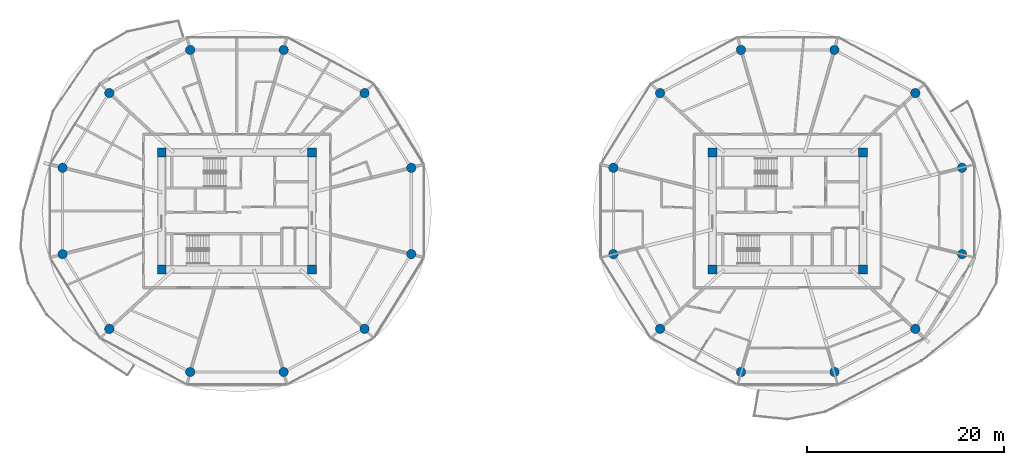
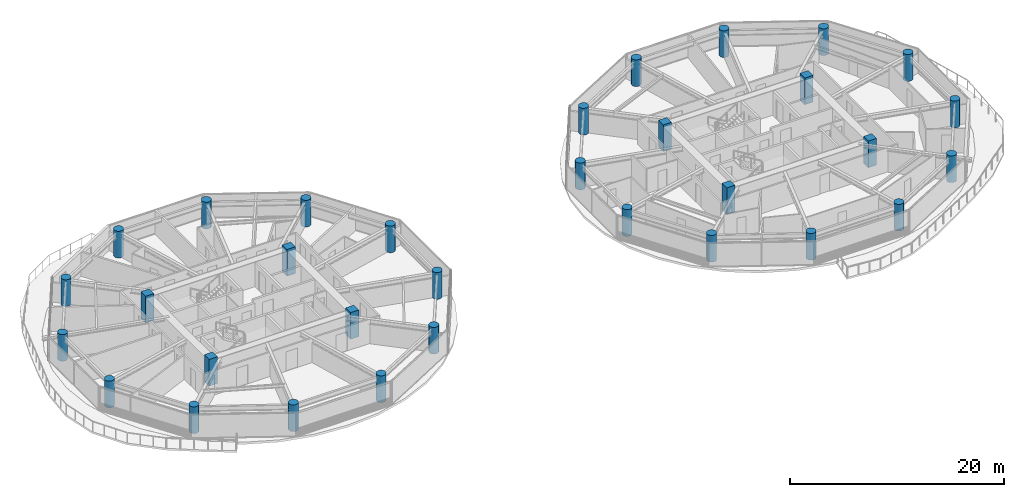
# One storey, part 1 of 27: 32 columns.
"""IFC4 building model written with IfcOpenShell, lengths in metres."""

from ifc_helpers import new_model, si_unit, direction, frame, origin, origin_2d, place, context, subcontext, project, spatial, rectangle, circle, extrude, source, transform, mapped, material, material_profile, profile_set, type_object, type_shapes, element, save


model = new_model("IFC4")

# Units and contexts
model_context = context("Model", 3, precision=1e-05, world=origin(), true_north=direction((0.0, 1.0)))
body_context = subcontext(model_context, "Body", "Model", "MODEL_VIEW")
ifc_project = project(units=[si_unit("LENGTHUNIT", "METRE"), si_unit("AREAUNIT", "SQUARE_METRE"), si_unit("VOLUMEUNIT", "CUBIC_METRE"), si_unit("PLANEANGLEUNIT", "RADIAN"), si_unit("MASSUNIT", "GRAM", prefix="KILO")], contexts=[model_context])

# Site, building, storey
site_placement = place(None, origin())
site = spatial("IfcSite", under=ifc_project, at=site_placement, CompositionType="ELEMENT")
building_placement = place(site_placement, origin())
building = spatial("IfcBuilding", under=site, at=building_placement, Name="Norrkilde Senior Care Towers", CompositionType="ELEMENT")
storey_placement = place(building_placement, frame((0.0, 0.0, 30.75)))
storey = spatial("IfcBuildingStorey", under=building, at=storey_placement, Name="L08", CompositionType="ELEMENT", Elevation=30.75)

# Columns
ifc_material = material(Name="Concrete C60/75", Category="concrete")
ifc_material_profile_1 = material_profile(ifc_material, rectangle(XDim=0.89990234375, YDim=0.89990234375, at=origin_2d()), Name="RC COL 900x900")
ifc_profile_set_1 = profile_set([ifc_material_profile_1], Name="Concrete C60/75")
column_type_1 = type_object("IfcColumnType", Name="Column Core Corner Z1-Z2 900", PredefinedType="COLUMN", material=ifc_profile_set_1)
shared_shape_1 = source(origin(), body_context, "Body", "SweptSolid", [
    extrude(rectangle(XDim=0.89990234375, YDim=0.89990234375, at=origin_2d()), origin(), (0.0, 0.0, 1.0), 3.050048828125),
])
type_shapes(column_type_1, [shared_shape_1])
for number, where, z_axis, x_axis, name in (
    (1, (-35.64990234375, -5.949951171875, 0.0), (0.0, 0.0, 1.0), (1.0, 0.0, 0.0), "L08 Core W Corner Column 1"),
    (2, (-20.35009765625, -5.949951171875, 0.0), (0.0, 0.0, 1.0), (1.0, 0.0, 0.0), "L08 Core W Corner Column 2"),
    (3, (-20.35009765625, 5.949951171875, 0.0), (0.0, 0.0, 1.0), (1.0, 0.0, 0.0), "L08 Core W Corner Column 3"),
    (4, (-35.64990234375, 5.949951171875, 0.0), (0.0, 0.0, 1.0), (1.0, 0.0, 0.0), "L08 Core W Corner Column 4"),
    (5, (20.35009765625, -5.949951171875, 0.0), (0.0, 0.0, 1.0), (1.0, 0.0, 0.0), "L08 Core E Corner Column 1"),
    (6, (35.64990234375, -5.949951171875, 0.0), (0.0, 0.0, 1.0), (1.0, 0.0, 0.0), "L08 Core E Corner Column 2"),
    (7, (35.64990234375, 5.949951171875, 0.0), (0.0, 0.0, 1.0), (1.0, 0.0, 0.0), "L08 Core E Corner Column 3"),
    (8, (20.35009765625, 5.949951171875, 0.0), (0.0, 0.0, 1.0), (1.0, 0.0, 0.0), "L08 Core E Corner Column 4"),
):
    element("IfcColumn", number, at=place(storey_placement, frame(where, z_axis=z_axis, x_axis=x_axis)), inside=storey, type_object=column_type_1, Name=name, PredefinedType="COLUMN", context=body_context, shape_type="MappedRepresentation", body=[
        mapped(shared_shape_1, transform((0.0, 0.0, 0.0), x_axis=(1.0, 0.0, 0.0), y_axis=(0.0, 1.0, 0.0), z_axis=(0.0, 0.0, 1.0), scale=1.0)),
    ])
ifc_material_profile_2 = material_profile(ifc_material, circle(Radius=0.47509765625, at=origin_2d()), Name="RC CIR 950")
ifc_profile_set_2 = profile_set([ifc_material_profile_2], Name="Concrete C60/75")
column_type_2 = type_object("IfcColumnType", Name="Column Perimeter Z1 950", PredefinedType="COLUMN", material=ifc_profile_set_2)
shared_shape_2 = source(origin(), body_context, "Body", "SweptSolid", [
    extrude(circle(Radius=0.47509765625, at=origin_2d()), origin(), (0.0, 0.0, 1.0), 3.050048828125),
])
type_shapes(column_type_2, [shared_shape_2])
for number, where, z_axis, x_axis, name in (
    (9, (-10.275146484375, 4.386962890625, 0.0), (0.0, 0.0, 1.0), (1.0, 0.0, 0.0), "L08 Drum W Perimeter Column 01"),
    (10, (-15.024658203125, 11.9853515625, 0.0), (0.0, 0.0, 1.0), (1.0, 0.0, 0.0), "L08 Drum W Perimeter Column 02"),
    (11, (-23.250732421875, 16.37255859375, 0.0), (0.0, 0.0, 1.0), (1.0, 0.0, 0.0), "L08 Drum W Perimeter Column 03"),
    (12, (-32.749267578125, 16.37255859375, 0.0), (0.0, 0.0, 1.0), (1.0, 0.0, 0.0), "L08 Drum W Perimeter Column 04"),
    (13, (-40.975341796875, 11.9853515625, 0.0), (0.0, 0.0, 1.0), (1.0, 0.0, 0.0), "L08 Drum W Perimeter Column 05"),
    (14, (-45.724853515625, 4.386962890625, 0.0), (0.0, 0.0, 1.0), (1.0, 0.0, 0.0), "L08 Drum W Perimeter Column 06"),
    (15, (-45.724853515625, -4.386962890625, 0.0), (0.0, 0.0, 1.0), (1.0, 0.0, 0.0), "L08 Drum W Perimeter Column 07"),
    (16, (-40.975341796875, -11.9853515625, 0.0), (0.0, 0.0, 1.0), (1.0, 0.0, 0.0), "L08 Drum W Perimeter Column 08"),
    (17, (-32.749267578125, -16.37255859375, 0.0), (0.0, 0.0, 1.0), (1.0, 0.0, 0.0), "L08 Drum W Perimeter Column 09"),
    (18, (-23.250732421875, -16.37255859375, 0.0), (0.0, 0.0, 1.0), (1.0, 0.0, 0.0), "L08 Drum W Perimeter Column 10"),
    (19, (-15.024658203125, -11.9853515625, 0.0), (0.0, 0.0, 1.0), (1.0, 0.0, 0.0), "L08 Drum W Perimeter Column 11"),
    (20, (-10.275146484375, -4.386962890625, 0.0), (0.0, 0.0, 1.0), (1.0, 0.0, 0.0), "L08 Drum W Perimeter Column 12"),
    (21, (45.724853515625, 4.386962890625, 0.0), (0.0, 0.0, 1.0), (1.0, 0.0, 0.0), "L08 Drum E Perimeter Column 01"),
    (22, (40.975341796875, 11.9853515625, 0.0), (0.0, 0.0, 1.0), (1.0, 0.0, 0.0), "L08 Drum E Perimeter Column 02"),
    (23, (32.749267578125, 16.37255859375, 0.0), (0.0, 0.0, 1.0), (1.0, 0.0, 0.0), "L08 Drum E Perimeter Column 03"),
    (24, (23.250732421875, 16.37255859375, 0.0), (0.0, 0.0, 1.0), (1.0, 0.0, 0.0), "L08 Drum E Perimeter Column 04"),
    (25, (15.024658203125, 11.9853515625, 0.0), (0.0, 0.0, 1.0), (1.0, 0.0, 0.0), "L08 Drum E Perimeter Column 05"),
    (26, (10.275146484375, 4.386962890625, 0.0), (0.0, 0.0, 1.0), (1.0, 0.0, 0.0), "L08 Drum E Perimeter Column 06"),
    (27, (10.275146484375, -4.386962890625, 0.0), (0.0, 0.0, 1.0), (1.0, 0.0, 0.0), "L08 Drum E Perimeter Column 07"),
    (28, (15.024658203125, -11.9853515625, 0.0), (0.0, 0.0, 1.0), (1.0, 0.0, 0.0), "L08 Drum E Perimeter Column 08"),
    (29, (23.250732421875, -16.37255859375, 0.0), (0.0, 0.0, 1.0), (1.0, 0.0, 0.0), "L08 Drum E Perimeter Column 09"),
    (30, (32.749267578125, -16.37255859375, 0.0), (0.0, 0.0, 1.0), (1.0, 0.0, 0.0), "L08 Drum E Perimeter Column 10"),
    (31, (40.975341796875, -11.9853515625, 0.0), (0.0, 0.0, 1.0), (1.0, 0.0, 0.0), "L08 Drum E Perimeter Column 11"),
    (32, (45.724853515625, -4.386962890625, 0.0), (0.0, 0.0, 1.0), (1.0, 0.0, 0.0), "L08 Drum E Perimeter Column 12"),
):
    element("IfcColumn", number, at=place(storey_placement, frame(where, z_axis=z_axis, x_axis=x_axis)), inside=storey, type_object=column_type_2, Name=name, PredefinedType="COLUMN", context=body_context, shape_type="MappedRepresentation", body=[
        mapped(shared_shape_2, transform((0.0, 0.0, 0.0), x_axis=(1.0, 0.0, 0.0), y_axis=(0.0, 1.0, 0.0), z_axis=(0.0, 0.0, 1.0), scale=1.0)),
    ])

save(model, "model.ifc")
